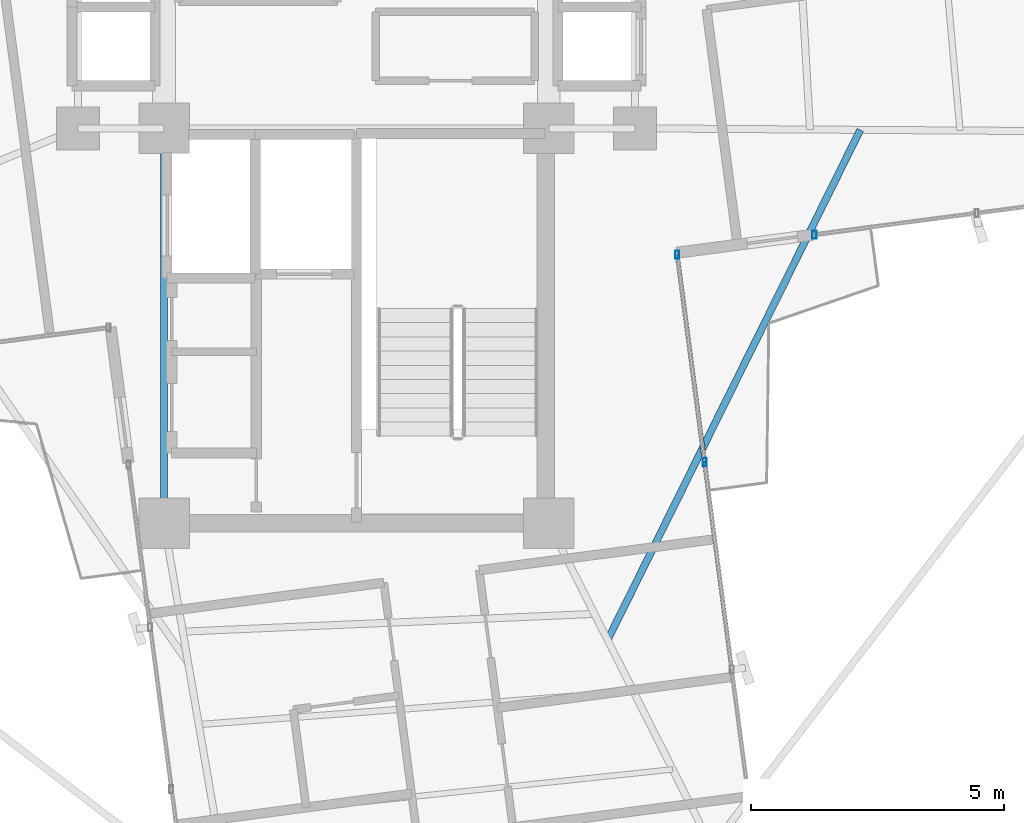
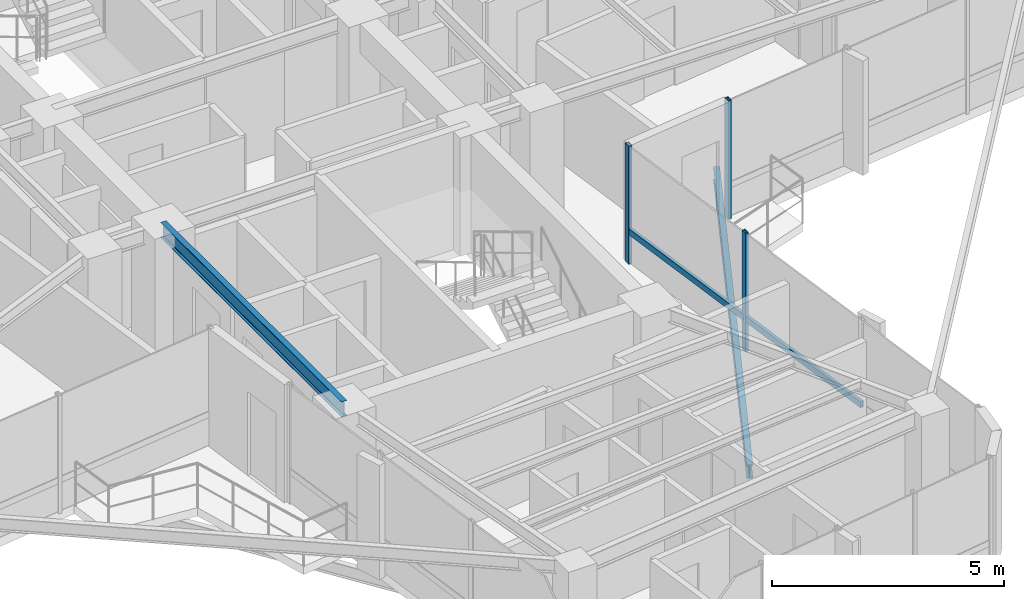
# One storey, part 5 of 22: 5 members, 2 beams, 2 elements without a shape of their own.
"""IFC4 building model written with IfcOpenShell, lengths in metres."""

from ifc_helpers import new_model, si_unit, direction, frame, origin, origin_2d, place, context, subcontext, project, spatial, hollow_rectangle, i_section, extrude, source, transform, mapped, material, material_profile, profile_set, type_object, element, aggregate, save


model = new_model("IFC4")

# Units and contexts
model_context = context("Model", 3, precision=1e-05, world=origin(), true_north=direction((0.0, 1.0)))
body_context = subcontext(model_context, "Body", "Model", "MODEL_VIEW")
ifc_project = project(units=[si_unit("LENGTHUNIT", "METRE"), si_unit("AREAUNIT", "SQUARE_METRE"), si_unit("VOLUMEUNIT", "CUBIC_METRE"), si_unit("PLANEANGLEUNIT", "RADIAN"), si_unit("MASSUNIT", "GRAM", prefix="KILO")], contexts=[model_context])

# Site, building, storey
site_placement = place(None, origin())
site = spatial("IfcSite", under=ifc_project, at=site_placement, CompositionType="ELEMENT")
building_placement = place(site_placement, origin())
building = spatial("IfcBuilding", under=site, at=building_placement, Name="Sahyath Konkavel Grand Hotel", CompositionType="ELEMENT")
storey_placement = place(building_placement, frame((0.0, 0.0, 223.25)))
storey = spatial("IfcBuildingStorey", under=building, at=storey_placement, Name="L62", CompositionType="ELEMENT", Elevation=223.25)

# Beam
ifc_material_1 = material(Name="Steel E350", Category="steel")
ifc_material_profile_1 = material_profile(ifc_material_1, i_section(OverallWidth=0.139892578125, OverallDepth=0.39990234375, WebThickness=0.0087890625, FlangeThickness=0.01611328125, FilletRadius=0.013916015625, at=origin_2d()), Name="ISMB 400")
ifc_profile_set_1 = profile_set([ifc_material_profile_1], Name="Steel E350")
beam_type_1 = type_object("IfcBeamType", Name="BM-ISMB400", PredefinedType="BEAM", material=ifc_profile_set_1)
shared_shape_1 = source(origin(), body_context, "Body", "SweptSolid", [
    extrude(i_section(OverallWidth=0.139892578125, OverallDepth=0.39990234375, WebThickness=0.0087890625, FlangeThickness=0.01611328125, FilletRadius=0.013916015625, at=origin_2d()), origin(), (0.0, 0.0, 1.0), 7.800048828125),
])
beam_1_placement = place(storey_placement, frame((-3.800048828125, -10.199951171875, 2.909912109375), z_axis=(0.0, 1.0, 0.0), x_axis=(-1.0, 0.0, 0.0)))
element("IfcBeam", 1, at=beam_1_placement, inside=storey, type_object=beam_type_1, Name="str:bm:L62:SC-W", PredefinedType="BEAM", context=body_context, shape_type="MappedRepresentation", body=[
    mapped(shared_shape_1, transform((0.0, 0.0, 0.0), scale=1.0)),
])

# Curtain wall, member
ifc_material_2 = material(Name="Anodised Bronze Aluminium & Low-E Glazing", Category="aluminium")
curtain_wall_type = type_object("IfcCurtainWallType", Name="CW-ZONE4", PredefinedType="NOTDEFINED", material=ifc_material_2)
curtain_wall_1_placement = place(storey_placement, origin())
curtain_wall_1 = element("IfcCurtainWall", 2, at=curtain_wall_1_placement, inside=storey, type_object=curtain_wall_type, Name="L62 Unitised Curtain Wall F0", PredefinedType="NOTDEFINED")
ifc_material_3 = material(Name="Anodised Bronze Aluminium", Category="aluminium")
ifc_material_profile_2 = material_profile(ifc_material_3, hollow_rectangle(XDim=0.080078125, YDim=0.159912109375, WallThickness=0.006103515625, at=origin_2d()), Name="RHS 160x80x6")
ifc_profile_set_2 = profile_set([ifc_material_profile_2], Name="Anodised Bronze Aluminium")
member_type_1 = type_object("IfcMemberType", Name="CW-MUL-160", PredefinedType="MULLION", material=ifc_profile_set_2)
shared_shape_2 = source(origin(), body_context, "Body", "SweptSolid", [
    extrude(hollow_rectangle(XDim=0.080078125, YDim=0.159912109375, WallThickness=0.006103515625, at=origin_2d()), origin(), (0.0, 0.0, 1.0), 3.110107421875),
])
member_1_placement = place(storey_placement, frame((9.046875, -4.499755859375, 0.0), z_axis=(0.0, 0.0, 1.0), x_axis=(1.0, 0.0, 0.0)))
member_1 = element("IfcMember", 3, at=member_1_placement, type_object=member_type_1, Name="L62 Curtain Wall Mullion F0-0", PredefinedType="MULLION", context=body_context, shape_type="MappedRepresentation", body=[
    mapped(shared_shape_2, transform((0.0, 0.0, 0.0), scale=1.0)),
])
aggregate(curtain_wall_1, [member_1])

# Curtain wall, members
curtain_wall_2_placement = place(storey_placement, origin())
curtain_wall_2 = element("IfcCurtainWall", 4, at=curtain_wall_2_placement, inside=storey, type_object=curtain_wall_type, Name="L62 Unitised Curtain Wall F31", PredefinedType="NOTDEFINED")
member_2_placement = place(storey_placement, frame((6.875, -8.995361328125, 0.0), z_axis=(0.0, 0.0, 1.0), x_axis=(1.0, 0.0, 0.0)))
member_2 = element("IfcMember", 5, at=member_2_placement, type_object=member_type_1, Name="L62 Curtain Wall Mullion F31-2", PredefinedType="MULLION", context=body_context, shape_type="MappedRepresentation", body=[
    mapped(shared_shape_2, transform((0.0, 0.0, 0.0), scale=1.0)),
])
member_3_placement = place(storey_placement, frame((6.33544921875, -4.89697265625, 0.0), z_axis=(0.0, 0.0, 1.0), x_axis=(1.0, 0.0, 0.0)))
member_3 = element("IfcMember", 6, at=member_3_placement, type_object=member_type_1, Name="L62 Curtain Wall Mullion F31-3", PredefinedType="MULLION", context=body_context, shape_type="MappedRepresentation", body=[
    mapped(shared_shape_2, transform((0.0, 0.0, 0.0), scale=1.0)),
])
ifc_material_profile_3 = material_profile(ifc_material_3, hollow_rectangle(XDim=0.080078125, YDim=0.159912109375, WallThickness=0.006103515625, at=origin_2d()), Name="RHS 160x80x6")
ifc_profile_set_3 = profile_set([ifc_material_profile_3], Name="Anodised Bronze Aluminium")
member_type_2 = type_object("IfcMemberType", Name="CW-TRN-160", PredefinedType="USERDEFINED", material=ifc_profile_set_3)
shared_shape_3 = source(origin(), body_context, "Body", "SweptSolid", [
    extrude(hollow_rectangle(XDim=0.080078125, YDim=0.159912109375, WallThickness=0.006103515625, at=origin_2d()), origin(), (0.0, 0.0, 1.0), 4.1337890625),
])
member_4_placement = place(storey_placement, frame((6.875, -8.995361328125, 0.85009765625), z_axis=(-0.130523261824, 0.991445247163, 0.0), x_axis=(-0.991445247163, -0.130523261824, 0.0)))
member_4 = element("IfcMember", 7, at=member_4_placement, type_object=member_type_2, Name="L62 Curtain Wall Transom F31-2-spandrel", ObjectType="TRANSOM", PredefinedType="USERDEFINED", context=body_context, shape_type="MappedRepresentation", body=[
    mapped(shared_shape_3, transform((0.0, 0.0, 0.0), scale=1.0)),
])
shared_shape_4 = source(origin(), body_context, "Body", "SweptSolid", [
    extrude(hollow_rectangle(XDim=0.080078125, YDim=0.159912109375, WallThickness=0.006103515625, at=origin_2d()), origin(), (0.0, 0.0, 1.0), 4.133544921875),
])
member_5_placement = place(storey_placement, frame((7.41455078125, -13.093505859375, 0.85009765625), z_axis=(-0.130530905064, 0.991444240905, 0.0), x_axis=(-0.991444240905, -0.130530905064, 0.0)))
member_5 = element("IfcMember", 8, at=member_5_placement, type_object=member_type_2, Name="L62 Curtain Wall Transom F31-1-spandrel", ObjectType="TRANSOM", PredefinedType="USERDEFINED", context=body_context, shape_type="MappedRepresentation", body=[
    mapped(shared_shape_4, transform((0.0, 0.0, 0.0), scale=1.0)),
])
aggregate(curtain_wall_2, [member_2, member_3, member_5, member_4])

# Beam
ifc_material_profile_4 = material_profile(ifc_material_1, i_section(OverallWidth=0.139892578125, OverallDepth=0.35009765625, WebThickness=0.008056640625, FlangeThickness=0.01416015625, FilletRadius=0.013916015625, at=origin_2d()), Name="ISMB 350")
ifc_profile_set_4 = profile_set([ifc_material_profile_4], Name="Steel E350")
beam_type_2 = type_object("IfcBeamType", Name="BM-BALC-CANT", PredefinedType="BEAM", material=ifc_profile_set_4)
shared_shape_5 = source(origin(), body_context, "Body", "SweptSolid", [
    extrude(i_section(OverallWidth=0.139892578125, OverallDepth=0.35009765625, WebThickness=0.008056640625, FlangeThickness=0.01416015625, FilletRadius=0.013916015625, at=origin_2d()), origin(), (0.0, 0.0, 1.0), 11.245361328125),
])
beam_2_placement = place(storey_placement, frame((4.960693359375, -12.50830078125, -0.4150390625), z_axis=(0.443780080515, 0.896135726404, 0.0), x_axis=(-0.896135726404, 0.443780080515, 0.0)))
element("IfcBeam", 9, at=beam_2_placement, inside=storey, type_object=beam_type_2, Name="L62 Balcony Cantilever Support Beam SE", PredefinedType="BEAM", context=body_context, shape_type="MappedRepresentation", body=[
    mapped(shared_shape_5, transform((0.0, 0.0, 0.0), scale=1.0)),
])

save(model, "model.ifc")
